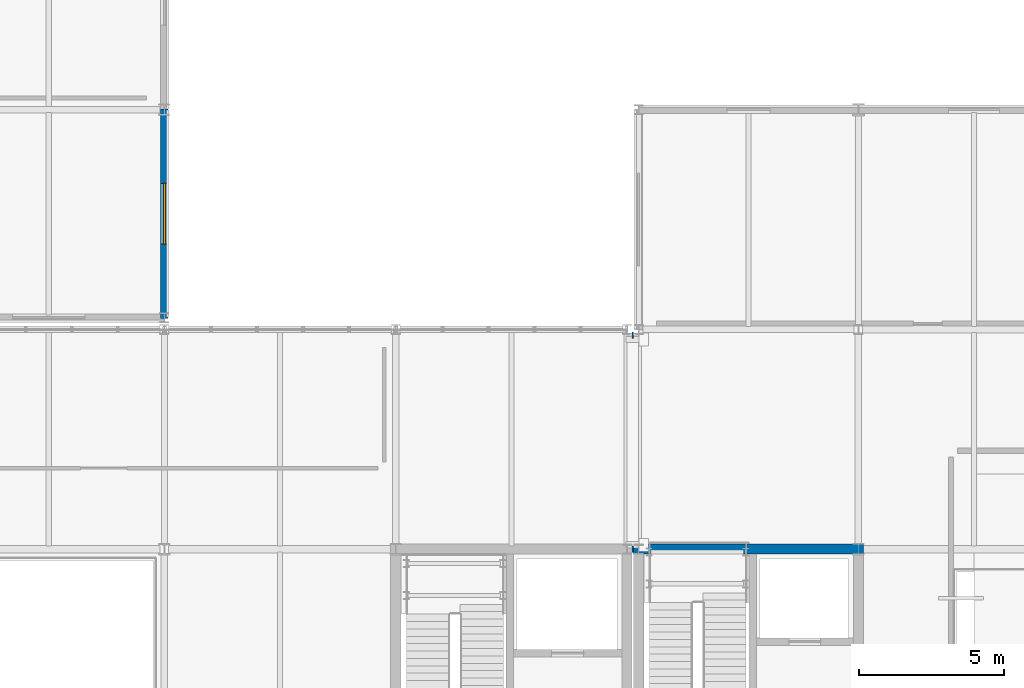
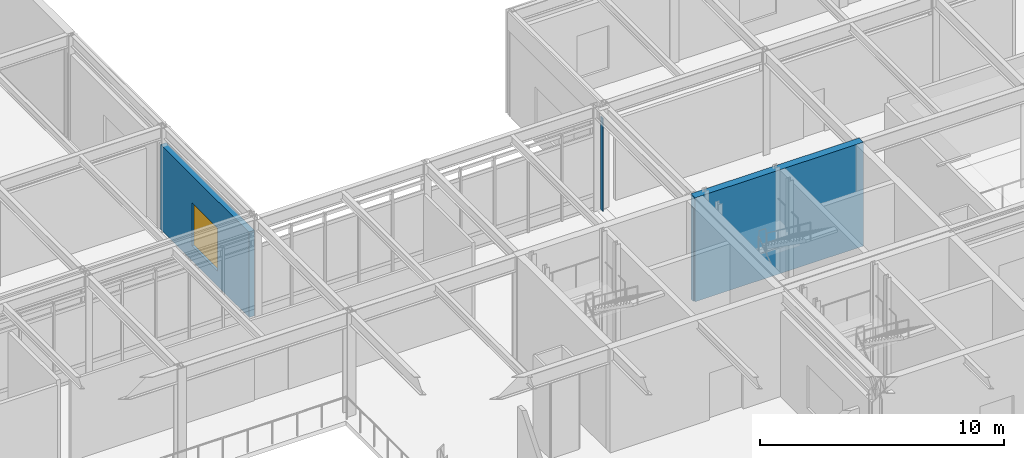
# One storey, part 75 of 94: 4 walls, 1 window, 1 opening.
"""IFC4 building model written with IfcOpenShell, lengths in metres."""

from ifc_helpers import new_model, si_unit, direction, frame, frame_2d, origin, place, context, subcontext, project, spatial, rectangle, extrude, material, layer, layer_set, type_object, element, fill, save


model = new_model("IFC4")

# Units and contexts
model_context = context("Model", 3, precision=1e-05, world=origin(), true_north=direction((0.0, 1.0)))
body_context = subcontext(model_context, "Body", "Model", "MODEL_VIEW")
ifc_project = project(units=[si_unit("LENGTHUNIT", "METRE"), si_unit("AREAUNIT", "SQUARE_METRE"), si_unit("VOLUMEUNIT", "CUBIC_METRE"), si_unit("PLANEANGLEUNIT", "RADIAN"), si_unit("MASSUNIT", "GRAM", prefix="KILO")], contexts=[model_context])

# Site, building, storey
site_placement = place(None, origin())
site = spatial("IfcSite", under=ifc_project, at=site_placement, CompositionType="ELEMENT")
building_placement = place(site_placement, origin())
building = spatial("IfcBuilding", under=site, at=building_placement, Name="Zulena Civic Courthouse", CompositionType="ELEMENT")
storey_placement = place(building_placement, frame((0.0, 0.0, 5.39990234375)))
storey = spatial("IfcBuildingStorey", under=building, at=storey_placement, Name="L01", CompositionType="ELEMENT", Elevation=5.39990234375)

# Walls
ifc_material_1 = material(Name="Travertine-cream architectural precast concrete C40/50", Category="masonry")
ifc_layer_1 = layer(ifc_material_1, 0.205078125)
ifc_layer_set_1 = layer_set([ifc_layer_1], Name="Travertine-cream architectural precast concrete C40/50")
wall_type_1 = type_object("IfcWallType", Name="BridgeWall_GlazedScreen_205", PredefinedType="STANDARD", material=ifc_layer_set_1)
for number, where, z_axis, x_axis, name in (
    (1, (124.219970703125, 38.0, 0.0), (0.0, 0.0, 1.0), (-1.0, 0.0, 0.0), "ewall:bridge:BR-43:L01:S"),
    (2, (124.179931640625, 45.39990234375, 0.0), (0.0, 0.0, 1.0), (1.0, 0.0, 0.0), "ewall:bridge:BR-43:L01:N"),
):
    element("IfcWall", number, at=place(storey_placement, frame(where, z_axis=z_axis, x_axis=x_axis)), inside=storey, type_object=wall_type_1, Name=name, PredefinedType="STANDARD", context=body_context, shape_type="SweptSolid", body=[
        extrude(rectangle(XDim=0.0400390625, YDim=0.205078125, at=frame_2d((0.02001953125, 0.0))), origin(), (0.0, 0.0, 1.0), 4.6201171875),
    ])
ifc_material_2 = material(Name="Concrete C40/50", Category="concrete")
ifc_layer_2 = layer(ifc_material_2, 0.35009765625)
ifc_layer_set_2 = layer_set([ifc_layer_2], Name="Concrete C40/50")
wall_type_2 = type_object("IfcWallType", Name="CoreShearWall_RC350", PredefinedType="SHEAR", material=ifc_layer_set_2)
wall_1_placement = place(storey_placement, frame((124.22509765625, 38.0, 0.0), z_axis=(0.0, 0.0, 1.0), x_axis=(1.0, 0.0, 0.0)))
element("IfcWall", 3, at=wall_1_placement, inside=storey, type_object=wall_type_2, Name="cwall:K3A:L01:N", PredefinedType="SHEAR", context=body_context, shape_type="SweptSolid", body=[
    extrude(rectangle(XDim=7.949951171875, YDim=0.35009765625, at=frame_2d((3.97509765625, 0.0))), origin(), (0.0, 0.0, 1.0), 5.190185546875),
])

# Wall, opening, window
ifc_material_3 = material(Name="Buff architectural precast concrete C40/50", Category="concrete")
ifc_layer_3 = layer(ifc_material_3, 0.264892578125)
ifc_layer_set_3 = layer_set([ifc_layer_3], Name="Buff architectural precast concrete C40/50")
wall_type_3 = type_object("IfcWallType", Name="ExtWall_BuffPrecast_265", PredefinedType="STANDARD", material=ifc_layer_set_3)
wall_2_placement = place(storey_placement, frame((108.0, 53.219970703125, 0.0), z_axis=(0.0, 0.0, 1.0), x_axis=(0.0, -1.0, 0.0)))
wall_2 = element("IfcWall", 4, at=wall_2_placement, inside=storey, type_object=wall_type_3, Name="ewall:V5:L01:4:8", PredefinedType="STANDARD", context=body_context, shape_type="SweptSolid", body=[
    extrude(rectangle(XDim=7.239990234375, YDim=0.264892578125, at=frame_2d((3.6201171875, 0.0))), origin(), (0.0, 0.0, 1.0), 4.25),
])
opening_placement = place(wall_2_placement, frame((2.570068359375, 0.0, 0.75)))
opening = element("IfcOpeningElement", 5, at=opening_placement, cuts=wall_2, Name="Opening WN11", PredefinedType="OPENING", context=body_context, shape_type="SweptSolid", body=[
    extrude(rectangle(XDim=2.10009765625, YDim=2.14990234375, at=frame_2d((1.050048828125, 1.074951171875))), frame((0.0, 0.142333984375, 0.0), z_axis=(0.0, -1.0, 0.0), x_axis=(1.0, 0.0, 0.0)), (0.0, 0.0, 1.0), 0.284912109375),
])
ifc_material_4 = material(Name="Double-silver low-E laminated solar-control glass", Category="glass")
window_type = type_object("IfcWindowType", Name="Win_2100x2150", PartitioningType="DOUBLE_PANEL_VERTICAL", PredefinedType="WINDOW", material=ifc_material_4)
window_placement = place(opening_placement, origin())
window = element("IfcWindow", 6, at=window_placement, inside=storey, type_object=window_type, Name="win:V5:L01:4:8", OverallHeight=2.14990234375, OverallWidth=2.10009765625, PartitioningType="SINGLE_PANEL", PredefinedType="WINDOW", context=body_context, shape_type="SweptSolid", body=[
    extrude(rectangle(XDim=2.10009765625, YDim=2.14990234375, at=frame_2d((1.050048828125, 1.074951171875))), frame((0.0, 0.030029296875, 0.0), z_axis=(0.0, -1.0, 0.0), x_axis=(1.0, 0.0, 0.0)), (0.0, 0.0, 1.0), 0.06005859375),
])
fill(opening, window)

save(model, "model.ifc")
